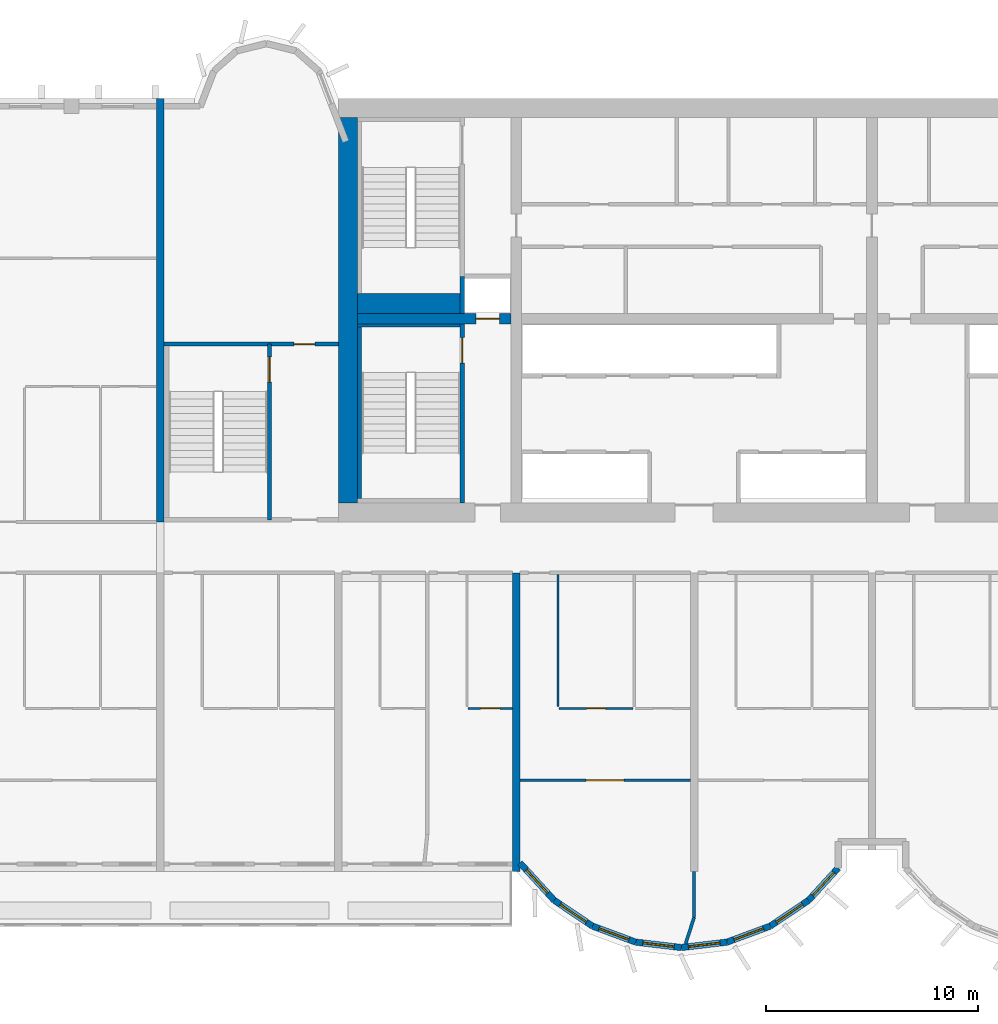
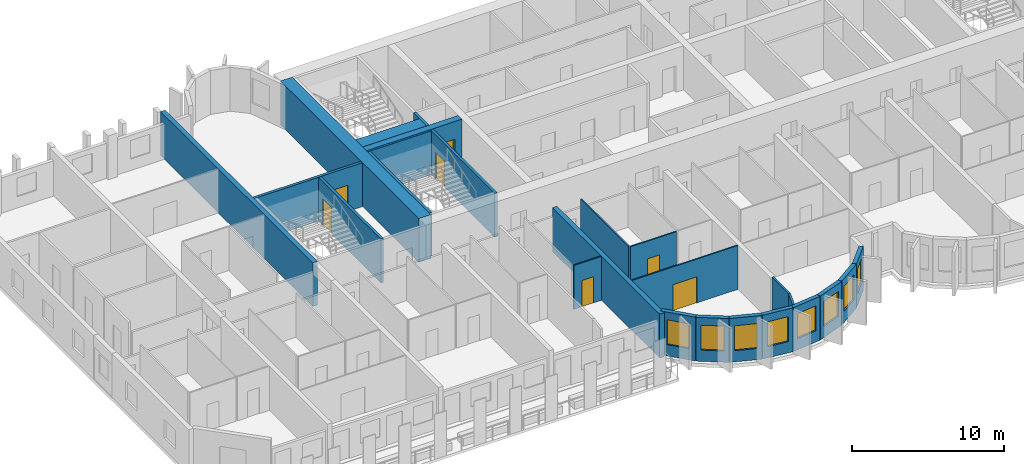
# One storey, part 4 of 15: 25 walls, 8 windows, 7 doors, 15 openings.
"""IFC4 building model written with IfcOpenShell, lengths in metres."""

from ifc_helpers import new_model, si_unit, direction, frame, frame_2d, origin, place, context, subcontext, project, spatial, rectangle, extrude, source, transform, mapped, material, layer, layer_set, type_object, element, fill, save


model = new_model("IFC4")

# Units and contexts
model_context = context("Model", 3, precision=1e-05, world=origin(), true_north=direction((0.0, 1.0)))
body_context = subcontext(model_context, "Body", "Model", "MODEL_VIEW")
ifc_project = project(units=[si_unit("LENGTHUNIT", "METRE"), si_unit("AREAUNIT", "SQUARE_METRE"), si_unit("VOLUMEUNIT", "CUBIC_METRE"), si_unit("PLANEANGLEUNIT", "RADIAN"), si_unit("MASSUNIT", "GRAM", prefix="KILO")], contexts=[model_context])

# Site, building, storey
site_placement = place(None, origin())
site = spatial("IfcSite", under=ifc_project, at=site_placement, CompositionType="ELEMENT")
building_placement = place(site_placement, origin())
building = spatial("IfcBuilding", under=site, at=building_placement, Name="Vanashikhar Sky Hotel", CompositionType="ELEMENT")
storey_placement = place(building_placement, frame((0.0, 0.0, 133.199951171875)))
storey = spatial("IfcBuildingStorey", under=building, at=storey_placement, Name="L32", CompositionType="ELEMENT", Elevation=133.199951171875)

# Wall
ifc_material_1 = material(Name="Concrete M70", Category="concrete")
ifc_layer_1 = layer(ifc_material_1, 0.89990234375)
ifc_layer_set_1 = layer_set([ifc_layer_1], Name="RC core shell wall 900 Concrete M70")
wall_type_1 = type_object("IfcWallType", Name="RC core shell wall 900 Concrete M70", PredefinedType="SHEAR", material=ifc_layer_set_1)
shared_shape_1 = source(origin(), body_context, "Body", "SweptSolid", [
    extrude(rectangle(XDim=18.2001953125, YDim=0.89990234375, at=frame_2d((9.10009765625, 0.0))), origin(), (0.0, 0.0, 1.0), 3.52001953125),
])
wall_1_placement = place(storey_placement, frame((25.64990234375, 22.89990234375, 0.0), z_axis=(0.0, 0.0, 1.0), x_axis=(0.0, 1.0, 0.0)))
element("IfcWall", 1, at=wall_1_placement, inside=storey, type_object=wall_type_1, Name="KW-L32-KW", PredefinedType="SHEAR", context=body_context, shape_type="MappedRepresentation", body=[
    mapped(shared_shape_1, transform((0.0, 0.0, 0.0), scale=1.0)),
])

# Wall, opening, door
ifc_layer_2 = layer(ifc_material_1, 0.5)
ifc_layer_set_2 = layer_set([ifc_layer_2], Name="RC core inner wall 500 Concrete M70")
wall_type_2 = type_object("IfcWallType", Name="RC core inner wall 500 Concrete M70", PredefinedType="SHEAR", material=ifc_layer_set_2)
shared_shape_2 = source(origin(), body_context, "Body", "SweptSolid", [
    extrude(rectangle(XDim=7.25, YDim=0.5, at=frame_2d((3.625, 0.0))), origin(), (0.0, 0.0, 1.0), 3.52001953125),
])
wall_2_placement = place(storey_placement, frame((26.10009765625, 31.60009765625, 0.0), z_axis=(0.0, 0.0, 1.0), x_axis=(1.0, 0.0, 0.0)))
wall_2 = element("IfcWall", 2, at=wall_2_placement, inside=storey, type_object=wall_type_2, Name="KW-L32-KY1", PredefinedType="SHEAR", context=body_context, shape_type="MappedRepresentation", body=[
    mapped(shared_shape_2, transform((0.0, 0.0, 0.0), scale=1.0)),
])
shared_shape_3 = source(origin(), body_context, "Body", "SweptSolid", [
    extrude(rectangle(XDim=1.10009765625, YDim=2.10009765625, at=frame_2d((0.550048828125, 1.050048828125))), frame((0.0, 0.260009765625, 0.0), z_axis=(0.0, -1.0, 0.0), x_axis=(1.0, 0.0, 0.0)), (0.0, 0.0, 1.0), 0.52001953125),
])
opening_1_placement = place(wall_2_placement, frame((5.60009765625, 0.0, 0.0)))
opening_1 = element("IfcOpeningElement", 3, at=opening_1_placement, cuts=wall_2, Name="Opening LD", PredefinedType="OPENING", context=body_context, shape_type="MappedRepresentation", body=[
    mapped(shared_shape_3, transform((0.0, 0.0, 0.0), scale=1.0)),
])
ifc_material_2 = material(Name="Stainless steel", Category="steel")
door_type_1 = type_object("IfcDoorType", Name="Lift landing door 1100", OperationType="NOTDEFINED", PredefinedType="DOOR", material=ifc_material_2)
shared_shape_4 = source(origin(), body_context, "Body", "SweptSolid", [
    extrude(rectangle(XDim=1.10009765625, YDim=2.10009765625, at=frame_2d((0.550048828125, 1.050048828125))), frame((0.0, 0.02490234375, 0.0), z_axis=(0.0, -1.0, 0.0), x_axis=(1.0, 0.0, 0.0)), (0.0, 0.0, 1.0), 0.050048828125),
])
door_1_placement = place(opening_1_placement, origin())
door_1 = element("IfcDoor", 4, at=door_1_placement, inside=storey, type_object=door_type_1, Name="Lift landing door 1100", OperationType="SLIDING_TO_RIGHT", OverallHeight=2.10009765625, OverallWidth=1.10009765625, PredefinedType="DOOR", context=body_context, shape_type="MappedRepresentation", body=[
    mapped(shared_shape_4, transform((0.0, 0.0, 0.0), scale=1.0)),
])
fill(opening_1, door_1)

# Walls
ifc_layer_3 = layer(ifc_material_1, 0.35009765625)
ifc_layer_set_3 = layer_set([ifc_layer_3], Name="RC shear wall 350 Concrete M70")
wall_type_3 = type_object("IfcWallType", Name="RC shear wall 350 Concrete M70", PredefinedType="SHEAR", material=ifc_layer_set_3)
shared_shape_5 = source(origin(), body_context, "Body", "SweptSolid", [
    extrude(rectangle(XDim=14.10009765625, YDim=0.35009765625, at=frame_2d((7.050048828125, 0.0))), origin(), (0.0, 0.0, 1.0), 3.52001953125),
])
wall_3_placement = place(storey_placement, frame((33.60009765625, 5.5, 0.0), z_axis=(0.0, 0.0, 1.0), x_axis=(0.0, 1.0, 0.0)))
element("IfcWall", 5, at=wall_3_placement, inside=storey, type_object=wall_type_3, Name="CW-L32-XW05-1", PredefinedType="SHEAR", context=body_context, shape_type="MappedRepresentation", body=[
    mapped(shared_shape_5, transform((0.0, 0.0, 0.0), scale=1.0)),
])
shared_shape_6 = source(origin(), body_context, "Body", "SweptSolid", [
    extrude(rectangle(XDim=20.0, YDim=0.35009765625, at=frame_2d((10.0, 0.0))), origin(), (0.0, 0.0, 1.0), 3.52001953125),
])
wall_4_placement = place(storey_placement, frame((16.800048828125, 22.0, 0.0), z_axis=(0.0, 0.0, 1.0), x_axis=(0.0, 1.0, 0.0)))
element("IfcWall", 6, at=wall_4_placement, inside=storey, type_object=wall_type_3, Name="CW-L32-XW03-2", PredefinedType="SHEAR", context=body_context, shape_type="MappedRepresentation", body=[
    mapped(shared_shape_6, transform((0.0, 0.0, 0.0), scale=1.0)),
])

# Wall, opening, window
ifc_material_3 = material(Name="Concrete M50", Category="concrete")
ifc_layer_4 = layer(ifc_material_3, 0.300048828125)
ifc_layer_set_4 = layer_set([ifc_layer_4], Name="Lobe wall 300")
wall_type_4 = type_object("IfcWallType", Name="Lobe wall 300", PredefinedType="SOLIDWALL", material=ifc_layer_set_4)
shared_shape_7 = source(origin(), body_context, "Body", "SweptSolid", [
    extrude(rectangle(XDim=2.398193359375, YDim=0.300048828125, at=frame_2d((1.19921875, 0.0))), origin(), (0.0, 0.0, 1.0), 3.52001953125),
])
wall_5_placement = place(storey_placement, frame((33.776123046875, 5.89990234375, 0.0), z_axis=(0.0, 0.0, 1.0), x_axis=(0.675374189419, -0.737475222815, 0.0)))
wall_5 = element("IfcWall", 7, at=wall_5_placement, inside=storey, type_object=wall_type_4, Name="Lobe wall", PredefinedType="SOLIDWALL", context=body_context, shape_type="MappedRepresentation", body=[
    mapped(shared_shape_7, transform((0.0, 0.0, 0.0), scale=1.0)),
])
shared_shape_8 = source(origin(), body_context, "Body", "SweptSolid", [
    extrude(rectangle(XDim=1.5, YDim=2.0, at=frame_2d((0.75, 1.0))), frame((0.0, 0.16015625, 0.0), z_axis=(0.0, -1.0, 0.0), x_axis=(1.0, 0.0, 0.0)), (0.0, 0.0, 1.0), 0.320068359375),
])
opening_2_placement = place(wall_5_placement, frame((0.44921875, 0.0, 0.89990234375)))
opening_2 = element("IfcOpeningElement", 8, at=opening_2_placement, cuts=wall_5, Name="Opening WN-2", PredefinedType="OPENING", context=body_context, shape_type="MappedRepresentation", body=[
    mapped(shared_shape_8, transform((0.0, 0.0, 0.0), scale=1.0)),
])
ifc_material_4 = material(Name="Glass", Category="glass")
window_type = type_object("IfcWindowType", Name="Lobe window 1500 x 2000", PartitioningType="SINGLE_PANEL", PredefinedType="WINDOW", material=ifc_material_4)
shared_shape_9 = source(origin(), body_context, "Body", "SweptSolid", [
    extrude(rectangle(XDim=1.5, YDim=2.0, at=frame_2d((0.75, 1.0))), frame((0.0, 0.030029296875, 0.0), z_axis=(0.0, -1.0, 0.0), x_axis=(1.0, 0.0, 0.0)), (0.0, 0.0, 1.0), 0.06005859375),
])
window_1_placement = place(opening_2_placement, origin())
window_1 = element("IfcWindow", 9, at=window_1_placement, inside=storey, type_object=window_type, Name="Window WN-2", OverallHeight=2.0, OverallWidth=1.5, PartitioningType="SINGLE_PANEL", PredefinedType="WINDOW", context=body_context, shape_type="MappedRepresentation", body=[
    mapped(shared_shape_9, transform((0.0, 0.0, 0.0), scale=1.0)),
])
fill(opening_2, window_1)

shared_shape_10 = source(origin(), body_context, "Body", "SweptSolid", [
    extrude(rectangle(XDim=2.17578125, YDim=0.300048828125, at=frame_2d((1.087890625, 0.0))), origin(), (0.0, 0.0, 1.0), 3.52001953125),
])
wall_6_placement = place(storey_placement, frame((35.395751953125, 4.13134765625, 0.0), z_axis=(0.0, 0.0, 1.0), x_axis=(0.829590746428, -0.558371913192, 0.0)))
wall_6 = element("IfcWall", 10, at=wall_6_placement, inside=storey, type_object=wall_type_4, Name="Lobe wall", PredefinedType="SOLIDWALL", context=body_context, shape_type="MappedRepresentation", body=[
    mapped(shared_shape_10, transform((0.0, 0.0, 0.0), scale=1.0)),
])
opening_3_placement = place(wall_6_placement, frame((0.337890625, 0.0, 0.89990234375)))
opening_3 = element("IfcOpeningElement", 11, at=opening_3_placement, cuts=wall_6, Name="Opening WN-2", PredefinedType="OPENING", context=body_context, shape_type="MappedRepresentation", body=[
    mapped(shared_shape_8, transform((0.0, 0.0, 0.0), scale=1.0)),
])
window_2_placement = place(opening_3_placement, origin())
window_2 = element("IfcWindow", 12, at=window_2_placement, inside=storey, type_object=window_type, Name="Window WN-2", OverallHeight=2.0, OverallWidth=1.5, PartitioningType="SINGLE_PANEL", PredefinedType="WINDOW", context=body_context, shape_type="MappedRepresentation", body=[
    mapped(shared_shape_9, transform((0.0, 0.0, 0.0), scale=1.0)),
])
fill(opening_3, window_2)

wall_7_placement = place(storey_placement, frame((37.20068359375, 2.91650390625, 0.0), z_axis=(0.0, 0.0, 1.0), x_axis=(0.93754555999, -0.347862505801, 0.0)))
wall_7 = element("IfcWall", 13, at=wall_7_placement, inside=storey, type_object=wall_type_4, Name="Lobe wall", PredefinedType="SOLIDWALL", context=body_context, shape_type="MappedRepresentation", body=[
    mapped(shared_shape_10, transform((0.0, 0.0, 0.0), scale=1.0)),
])
opening_4_placement = place(wall_7_placement, frame((0.337890625, 0.0, 0.89990234375)))
opening_4 = element("IfcOpeningElement", 14, at=opening_4_placement, cuts=wall_7, Name="Opening WN-2", PredefinedType="OPENING", context=body_context, shape_type="MappedRepresentation", body=[
    mapped(shared_shape_8, transform((0.0, 0.0, 0.0), scale=1.0)),
])
window_3_placement = place(opening_4_placement, origin())
window_3 = element("IfcWindow", 15, at=window_3_placement, inside=storey, type_object=window_type, Name="Window WN-2", OverallHeight=2.0, OverallWidth=1.5, PartitioningType="SINGLE_PANEL", PredefinedType="WINDOW", context=body_context, shape_type="MappedRepresentation", body=[
    mapped(shared_shape_9, transform((0.0, 0.0, 0.0), scale=1.0)),
])
fill(opening_4, window_3)

wall_8_placement = place(storey_placement, frame((45.59912109375, 2.91650390625, 0.0), z_axis=(0.0, 0.0, 1.0), x_axis=(0.829625727223, 0.558319937607, 0.0)))
wall_8 = element("IfcWall", 16, at=wall_8_placement, inside=storey, type_object=wall_type_4, Name="Lobe wall", PredefinedType="SOLIDWALL", context=body_context, shape_type="MappedRepresentation", body=[
    mapped(shared_shape_10, transform((0.0, 0.0, 0.0), scale=1.0)),
])
opening_5_placement = place(wall_8_placement, frame((0.337890625, 0.0, 0.89990234375)))
opening_5 = element("IfcOpeningElement", 17, at=opening_5_placement, cuts=wall_8, Name="Opening WN-2", PredefinedType="OPENING", context=body_context, shape_type="MappedRepresentation", body=[
    mapped(shared_shape_8, transform((0.0, 0.0, 0.0), scale=1.0)),
])
window_4_placement = place(opening_5_placement, origin())
window_4 = element("IfcWindow", 18, at=window_4_placement, inside=storey, type_object=window_type, Name="Window WN-2", OverallHeight=2.0, OverallWidth=1.5, PartitioningType="SINGLE_PANEL", PredefinedType="WINDOW", context=body_context, shape_type="MappedRepresentation", body=[
    mapped(shared_shape_9, transform((0.0, 0.0, 0.0), scale=1.0)),
])
fill(opening_5, window_4)

shared_shape_11 = source(origin(), body_context, "Body", "SweptSolid", [
    extrude(rectangle(XDim=2.174560546875, YDim=0.300048828125, at=frame_2d((1.08740234375, 0.0))), origin(), (0.0, 0.0, 1.0), 3.52001953125),
])
wall_9_placement = place(storey_placement, frame((39.240478515625, 2.15966796875, 0.0), z_axis=(0.0, 0.0, 1.0), x_axis=(0.993001132889, -0.118104826659, 0.0)))
wall_9 = element("IfcWall", 19, at=wall_9_placement, inside=storey, type_object=wall_type_4, Name="Lobe wall", PredefinedType="SOLIDWALL", context=body_context, shape_type="MappedRepresentation", body=[
    mapped(shared_shape_11, transform((0.0, 0.0, 0.0), scale=1.0)),
])
opening_6_placement = place(wall_9_placement, frame((0.33740234375, 0.0, 0.89990234375)))
opening_6 = element("IfcOpeningElement", 20, at=opening_6_placement, cuts=wall_9, Name="Opening WN-2", PredefinedType="OPENING", context=body_context, shape_type="MappedRepresentation", body=[
    mapped(shared_shape_8, transform((0.0, 0.0, 0.0), scale=1.0)),
])
window_5_placement = place(opening_6_placement, origin())
window_5 = element("IfcWindow", 21, at=window_5_placement, inside=storey, type_object=window_type, Name="Window WN-2", OverallHeight=2.0, OverallWidth=1.5, PartitioningType="SINGLE_PANEL", PredefinedType="WINDOW", context=body_context, shape_type="MappedRepresentation", body=[
    mapped(shared_shape_9, transform((0.0, 0.0, 0.0), scale=1.0)),
])
fill(opening_6, window_5)

shared_shape_12 = source(origin(), body_context, "Body", "SweptSolid", [
    extrude(rectangle(XDim=2.1748046875, YDim=0.300048828125, at=frame_2d((1.08740234375, 0.0))), origin(), (0.0, 0.0, 1.0), 3.52001953125),
])
wall_10_placement = place(storey_placement, frame((41.39990234375, 1.90283203125, 0.0), z_axis=(0.0, 0.0, 1.0), x_axis=(0.993002698611, 0.118091661648, 0.0)))
wall_10 = element("IfcWall", 22, at=wall_10_placement, inside=storey, type_object=wall_type_4, Name="Lobe wall", PredefinedType="SOLIDWALL", context=body_context, shape_type="MappedRepresentation", body=[
    mapped(shared_shape_12, transform((0.0, 0.0, 0.0), scale=1.0)),
])
opening_7_placement = place(wall_10_placement, frame((0.33740234375, 0.0, 0.89990234375)))
opening_7 = element("IfcOpeningElement", 23, at=opening_7_placement, cuts=wall_10, Name="Opening WN-2", PredefinedType="OPENING", context=body_context, shape_type="MappedRepresentation", body=[
    mapped(shared_shape_8, transform((0.0, 0.0, 0.0), scale=1.0)),
])
window_6_placement = place(opening_7_placement, origin())
window_6 = element("IfcWindow", 24, at=window_6_placement, inside=storey, type_object=window_type, Name="Window WN-2", OverallHeight=2.0, OverallWidth=1.5, PartitioningType="SINGLE_PANEL", PredefinedType="WINDOW", context=body_context, shape_type="MappedRepresentation", body=[
    mapped(shared_shape_9, transform((0.0, 0.0, 0.0), scale=1.0)),
])
fill(opening_7, window_6)

shared_shape_13 = source(origin(), body_context, "Body", "SweptSolid", [
    extrude(rectangle(XDim=2.175537109375, YDim=0.300048828125, at=frame_2d((1.087890625, 0.0))), origin(), (0.0, 0.0, 1.0), 3.52001953125),
])
wall_11_placement = place(storey_placement, frame((43.5595703125, 2.15966796875, 0.0), z_axis=(0.0, 0.0, 1.0), x_axis=(0.937531979054, 0.347899106424, 0.0)))
wall_11 = element("IfcWall", 25, at=wall_11_placement, inside=storey, type_object=wall_type_4, Name="Lobe wall", PredefinedType="SOLIDWALL", context=body_context, shape_type="MappedRepresentation", body=[
    mapped(shared_shape_13, transform((0.0, 0.0, 0.0), scale=1.0)),
])
opening_8_placement = place(wall_11_placement, frame((0.337890625, 0.0, 0.89990234375)))
opening_8 = element("IfcOpeningElement", 26, at=opening_8_placement, cuts=wall_11, Name="Opening WN-2", PredefinedType="OPENING", context=body_context, shape_type="MappedRepresentation", body=[
    mapped(shared_shape_8, transform((0.0, 0.0, 0.0), scale=1.0)),
])
window_7_placement = place(opening_8_placement, origin())
window_7 = element("IfcWindow", 27, at=window_7_placement, inside=storey, type_object=window_type, Name="Window WN-2", OverallHeight=2.0, OverallWidth=1.5, PartitioningType="SINGLE_PANEL", PredefinedType="WINDOW", context=body_context, shape_type="MappedRepresentation", body=[
    mapped(shared_shape_9, transform((0.0, 0.0, 0.0), scale=1.0)),
])
fill(opening_8, window_7)

shared_shape_14 = source(origin(), body_context, "Body", "SweptSolid", [
    extrude(rectangle(XDim=2.066650390625, YDim=0.300048828125, at=frame_2d((1.033203125, 0.0))), origin(), (0.0, 0.0, 1.0), 3.52001953125),
])
wall_12_placement = place(storey_placement, frame((47.404296875, 4.13134765625, 0.0), z_axis=(0.0, 0.0, 1.0), x_axis=(0.675355439877, 0.737492393065, 0.0)))
wall_12 = element("IfcWall", 28, at=wall_12_placement, inside=storey, type_object=wall_type_4, Name="Lobe wall", PredefinedType="SOLIDWALL", context=body_context, shape_type="MappedRepresentation", body=[
    mapped(shared_shape_14, transform((0.0, 0.0, 0.0), scale=1.0)),
])
opening_9_placement = place(wall_12_placement, frame((0.283447265625, 0.0, 0.89990234375)))
opening_9 = element("IfcOpeningElement", 29, at=opening_9_placement, cuts=wall_12, Name="Opening WN-2", PredefinedType="OPENING", context=body_context, shape_type="MappedRepresentation", body=[
    mapped(shared_shape_8, transform((0.0, 0.0, 0.0), scale=1.0)),
])
window_8_placement = place(opening_9_placement, origin())
window_8 = element("IfcWindow", 30, at=window_8_placement, inside=storey, type_object=window_type, Name="Window WN-2", OverallHeight=2.0, OverallWidth=1.5, PartitioningType="SINGLE_PANEL", PredefinedType="WINDOW", context=body_context, shape_type="MappedRepresentation", body=[
    mapped(shared_shape_9, transform((0.0, 0.0, 0.0), scale=1.0)),
])
fill(opening_9, window_8)

# Wall, opening, door
ifc_layer_5 = layer(ifc_material_3, 0.199951171875)
ifc_layer_set_5 = layer_set([ifc_layer_5], Name="Stair wall 200")
wall_type_5 = type_object("IfcWallType", Name="Stair wall 200", PredefinedType="SOLIDWALL", material=ifc_layer_set_5)
shared_shape_15 = source(origin(), body_context, "Body", "SweptSolid", [
    extrude(rectangle(XDim=8.2998046875, YDim=0.199951171875, at=frame_2d((4.14990234375, 0.0))), origin(), (0.0, 0.0, 1.0), 3.52001953125),
])
wall_13_placement = place(storey_placement, frame((21.949951171875, 22.10009765625, 0.0), z_axis=(0.0, 0.0, 1.0), x_axis=(0.0, 1.0, 0.0)))
wall_13 = element("IfcWall", 31, at=wall_13_placement, inside=storey, type_object=wall_type_5, Name="Stair wall 200", PredefinedType="SOLIDWALL", context=body_context, shape_type="MappedRepresentation", body=[
    mapped(shared_shape_15, transform((0.0, 0.0, 0.0), scale=1.0)),
])
shared_shape_16 = source(origin(), body_context, "Body", "SweptSolid", [
    extrude(rectangle(XDim=1.199951171875, YDim=2.10009765625, at=frame_2d((0.60009765625, 1.050048828125))), frame((0.0, 0.10986328125, 0.0), z_axis=(0.0, -1.0, 0.0), x_axis=(1.0, 0.0, 0.0)), (0.0, 0.0, 1.0), 0.219970703125),
])
opening_10_placement = place(wall_13_placement, frame((6.5, 0.0, 0.0)))
opening_10 = element("IfcOpeningElement", 32, at=opening_10_placement, cuts=wall_13, Name="Opening DC-1", PredefinedType="OPENING", context=body_context, shape_type="MappedRepresentation", body=[
    mapped(shared_shape_16, transform((0.0, 0.0, 0.0), scale=1.0)),
])
ifc_material_5 = material(Name="Steel", Category="steel")
door_type_2 = type_object("IfcDoorType", Name="Stair door 1200 FD120", OperationType="NOTDEFINED", PredefinedType="DOOR", material=ifc_material_5)
shared_shape_17 = source(origin(), body_context, "Body", "SweptSolid", [
    extrude(rectangle(XDim=1.199951171875, YDim=2.10009765625, at=frame_2d((0.60009765625, 1.050048828125))), frame((0.0, 0.02490234375, 0.0), z_axis=(0.0, -1.0, 0.0), x_axis=(1.0, 0.0, 0.0)), (0.0, 0.0, 1.0), 0.050048828125),
])
door_2_placement = place(opening_10_placement, origin())
door_2 = element("IfcDoor", 33, at=door_2_placement, inside=storey, type_object=door_type_2, Name="Stair door 1200 FD120", OperationType="SINGLE_SWING_LEFT", OverallHeight=2.10009765625, OverallWidth=1.199951171875, PredefinedType="DOOR", context=body_context, shape_type="MappedRepresentation", body=[
    mapped(shared_shape_17, transform((0.0, 0.0, 0.0), scale=1.0)),
])
fill(opening_10, door_2)

shared_shape_18 = source(origin(), body_context, "Body", "SweptSolid", [
    extrude(rectangle(XDim=8.4501953125, YDim=0.199951171875, at=frame_2d((4.22509765625, 0.0))), origin(), (0.0, 0.0, 1.0), 3.52001953125),
])
wall_14_placement = place(storey_placement, frame((31.050048828125, 22.89990234375, 0.0), z_axis=(0.0, 0.0, 1.0), x_axis=(0.0, 1.0, 0.0)))
wall_14 = element("IfcWall", 34, at=wall_14_placement, inside=storey, type_object=wall_type_5, Name="Stair wall 200", PredefinedType="SOLIDWALL", context=body_context, shape_type="MappedRepresentation", body=[
    mapped(shared_shape_18, transform((0.0, 0.0, 0.0), scale=1.0)),
])
opening_11_placement = place(wall_14_placement, frame((6.60009765625, 0.0, 0.0)))
opening_11 = element("IfcOpeningElement", 35, at=opening_11_placement, cuts=wall_14, Name="Opening DC-1", PredefinedType="OPENING", context=body_context, shape_type="MappedRepresentation", body=[
    mapped(shared_shape_16, transform((0.0, 0.0, 0.0), scale=1.0)),
])
door_3_placement = place(opening_11_placement, origin())
door_3 = element("IfcDoor", 36, at=door_3_placement, inside=storey, type_object=door_type_2, Name="Stair door 1200 FD120", OperationType="SINGLE_SWING_LEFT", OverallHeight=2.10009765625, OverallWidth=1.199951171875, PredefinedType="DOOR", context=body_context, shape_type="MappedRepresentation", body=[
    mapped(shared_shape_17, transform((0.0, 0.0, 0.0), scale=1.0)),
])
fill(opening_11, door_3)

# Wall
ifc_material_6 = material(Name="Concrete M40", Category="concrete")
ifc_layer_6 = layer(ifc_material_6, 0.199951171875)
ifc_layer_set_6 = layer_set([ifc_layer_6], Name="Shaft wall 200")
wall_type_6 = type_object("IfcWallType", Name="Shaft wall 200", PredefinedType="SOLIDWALL", material=ifc_layer_set_6)
shared_shape_19 = source(origin(), body_context, "Body", "SweptSolid", [
    extrude(rectangle(XDim=1.75, YDim=0.199951171875, at=frame_2d((0.875, 0.0))), origin(), (0.0, 0.0, 1.0), 3.52001953125),
])
wall_15_placement = place(storey_placement, frame((31.050048828125, 31.85009765625, 0.0), z_axis=(0.0, 0.0, 1.0), x_axis=(0.0, 1.0, 0.0)))
element("IfcWall", 37, at=wall_15_placement, inside=storey, type_object=wall_type_6, Name="Shaft wall 200", PredefinedType="SOLIDWALL", context=body_context, shape_type="MappedRepresentation", body=[
    mapped(shared_shape_19, transform((0.0, 0.0, 0.0), scale=1.0)),
])

# Wall, opening, door
shared_shape_20 = source(origin(), body_context, "Body", "SweptSolid", [
    extrude(rectangle(XDim=8.224853515625, YDim=0.199951171875, at=frame_2d((4.1123046875, 0.0))), origin(), (0.0, 0.0, 1.0), 3.52001953125),
])
wall_16_placement = place(storey_placement, frame((16.97509765625, 30.39990234375, 0.0), z_axis=(0.0, 0.0, 1.0), x_axis=(1.0, 0.0, 0.0)))
wall_16 = element("IfcWall", 38, at=wall_16_placement, inside=storey, type_object=wall_type_5, Name="Stair wall 200", PredefinedType="SOLIDWALL", context=body_context, shape_type="MappedRepresentation", body=[
    mapped(shared_shape_20, transform((0.0, 0.0, 0.0), scale=1.0)),
])
shared_shape_21 = source(origin(), body_context, "Body", "SweptSolid", [
    extrude(rectangle(XDim=1.0, YDim=2.10009765625, at=frame_2d((0.5, 1.050048828125))), frame((0.0, 0.10986328125, 0.0), z_axis=(0.0, -1.0, 0.0), x_axis=(1.0, 0.0, 0.0)), (0.0, 0.0, 1.0), 0.219970703125),
])
opening_12_placement = place(wall_16_placement, frame((6.125, 0.0, 0.0)))
opening_12 = element("IfcOpeningElement", 39, at=opening_12_placement, cuts=wall_16, Name="Opening DC-6", PredefinedType="OPENING", context=body_context, shape_type="MappedRepresentation", body=[
    mapped(shared_shape_21, transform((0.0, 0.0, 0.0), scale=1.0)),
])
door_type_3 = type_object("IfcDoorType", Name="Pocket door 1000 FD60", OperationType="NOTDEFINED", PredefinedType="DOOR", material=ifc_material_5)
shared_shape_22 = source(origin(), body_context, "Body", "SweptSolid", [
    extrude(rectangle(XDim=1.0, YDim=2.10009765625, at=frame_2d((0.5, 1.050048828125))), frame((0.0, 0.02490234375, 0.0), z_axis=(0.0, -1.0, 0.0), x_axis=(1.0, 0.0, 0.0)), (0.0, 0.0, 1.0), 0.050048828125),
])
door_4_placement = place(opening_12_placement, origin())
door_4 = element("IfcDoor", 40, at=door_4_placement, inside=storey, type_object=door_type_3, Name="Pocket door 1000 FD60", OperationType="SINGLE_SWING_LEFT", OverallHeight=2.10009765625, OverallWidth=1.0, PredefinedType="DOOR", context=body_context, shape_type="MappedRepresentation", body=[
    mapped(shared_shape_22, transform((0.0, 0.0, 0.0), scale=1.0)),
])
fill(opening_12, door_4)

# Walls
ifc_layer_7 = layer(ifc_material_3, 0.14990234375)
ifc_layer_set_7 = layer_set([ifc_layer_7], Name="Stair infill wall 150")
wall_type_7 = type_object("IfcWallType", Name="Stair infill wall 150", PredefinedType="SOLIDWALL", material=ifc_layer_set_7)
shared_shape_23 = source(origin(), body_context, "Body", "SweptSolid", [
    extrude(rectangle(XDim=4.849853515625, YDim=0.14990234375, at=frame_2d((2.4248046875, 0.0))), origin(), (0.0, 0.0, 1.0), 3.52001953125),
])
wall_17_placement = place(storey_placement, frame((26.10009765625, 31.27490234375, 0.0), z_axis=(0.0, 0.0, 1.0), x_axis=(1.0, 0.0, 0.0)))
element("IfcWall", 41, at=wall_17_placement, inside=storey, type_object=wall_type_7, Name="Stair infill wall 150", PredefinedType="SOLIDWALL", context=body_context, shape_type="MappedRepresentation", body=[
    mapped(shared_shape_23, transform((0.0, 0.0, 0.0), scale=1.0)),
])
ifc_layer_8 = layer(ifc_material_3, 0.199951171875)
ifc_layer_set_8 = layer_set([ifc_layer_8], Name="Stair infill wall 200")
wall_type_8 = type_object("IfcWallType", Name="Stair infill wall 200", PredefinedType="SOLIDWALL", material=ifc_layer_set_8)
shared_shape_24 = source(origin(), body_context, "Body", "SweptSolid", [
    extrude(rectangle(XDim=8.099853515625, YDim=0.199951171875, at=frame_2d((4.0498046875, 0.0))), origin(), (0.0, 0.0, 1.0), 3.52001953125),
])
wall_18_placement = place(storey_placement, frame((26.199951171875, 23.10009765625, 0.0), z_axis=(0.0, 0.0, 1.0), x_axis=(0.0, 1.0, 0.0)))
element("IfcWall", 42, at=wall_18_placement, inside=storey, type_object=wall_type_8, Name="Stair infill wall 200", PredefinedType="SOLIDWALL", context=body_context, shape_type="MappedRepresentation", body=[
    mapped(shared_shape_24, transform((0.0, 0.0, 0.0), scale=1.0)),
])
ifc_layer_9 = layer(ifc_material_3, 0.949951171875)
ifc_layer_set_9 = layer_set([ifc_layer_9], Name="Stair infill wall 950")
wall_type_9 = type_object("IfcWallType", Name="Stair infill wall 950", PredefinedType="SOLIDWALL", material=ifc_layer_set_9)
shared_shape_25 = source(origin(), body_context, "Body", "SweptSolid", [
    extrude(rectangle(XDim=4.849853515625, YDim=0.949951171875, at=frame_2d((2.4248046875, 0.0))), origin(), (0.0, 0.0, 1.0), 3.52001953125),
])
wall_19_placement = place(storey_placement, frame((26.10009765625, 32.324951171875, 0.0), z_axis=(0.0, 0.0, 1.0), x_axis=(1.0, 0.0, 0.0)))
element("IfcWall", 43, at=wall_19_placement, inside=storey, type_object=wall_type_9, Name="Stair infill wall 950", PredefinedType="SOLIDWALL", context=body_context, shape_type="MappedRepresentation", body=[
    mapped(shared_shape_25, transform((0.0, 0.0, 0.0), scale=1.0)),
])
ifc_material_7 = material(Name="Gypsum plasterboard partition")
ifc_layer_10 = layer(ifc_material_7, 0.14990234375)
ifc_layer_set_10 = layer_set([ifc_layer_10], Name="Corridor and demising partition 150")
wall_type_10 = type_object("IfcWallType", Name="Corridor and demising partition 150", PredefinedType="PARTITIONING", material=ifc_layer_set_10)
shared_shape_26 = source(origin(), body_context, "Body", "SweptSolid", [
    extrude(rectangle(XDim=2.177978515625, YDim=0.14990234375, at=frame_2d((1.0888671875, 0.0))), origin(), (0.0, 0.0, 1.0), 3.52001953125),
])
wall_20_placement = place(storey_placement, frame((42.0, 3.322021484375, 0.0), z_axis=(0.0, 0.0, 1.0), x_axis=(0.0, 1.0, 0.0)))
element("IfcWall", 44, at=wall_20_placement, inside=storey, type_object=wall_type_10, Name="W-L32-PW070", PredefinedType="PARTITIONING", context=body_context, shape_type="MappedRepresentation", body=[
    mapped(shared_shape_26, transform((0.0, 0.0, 0.0), scale=1.0)),
])

# Wall, opening, door
ifc_layer_11 = layer(ifc_material_7, 0.10009765625)
ifc_layer_set_11 = layer_set([ifc_layer_11], Name="Wet room partition 100")
wall_type_11 = type_object("IfcWallType", Name="Wet room partition 100", PredefinedType="PARTITIONING", material=ifc_layer_set_11)
shared_shape_27 = source(origin(), body_context, "Body", "SweptSolid", [
    extrude(rectangle(XDim=3.5, YDim=0.10009765625, at=frame_2d((1.75, 0.0))), origin(), (0.0, 0.0, 1.0), 3.52001953125),
])
wall_21_placement = place(storey_placement, frame((35.625, 13.199951171875, 0.0), z_axis=(0.0, 0.0, 1.0), x_axis=(1.0, 0.0, 0.0)))
wall_21 = element("IfcWall", 45, at=wall_21_placement, inside=storey, type_object=wall_type_11, Name="W-L32-PW026", PredefinedType="PARTITIONING", context=body_context, shape_type="MappedRepresentation", body=[
    mapped(shared_shape_27, transform((0.0, 0.0, 0.0), scale=1.0)),
])
shared_shape_28 = source(origin(), body_context, "Body", "SweptSolid", [
    extrude(rectangle(XDim=0.89990234375, YDim=2.10009765625, at=frame_2d((0.449951171875, 1.050048828125))), frame((0.0, 0.06005859375, 0.0), z_axis=(0.0, -1.0, 0.0), x_axis=(1.0, 0.0, 0.0)), (0.0, 0.0, 1.0), 0.1201171875),
])
opening_13_placement = place(wall_21_placement, frame((1.300048828125, 0.0, 0.0)))
opening_13 = element("IfcOpeningElement", 46, at=opening_13_placement, cuts=wall_21, Name="Opening D-02", PredefinedType="OPENING", context=body_context, shape_type="MappedRepresentation", body=[
    mapped(shared_shape_28, transform((0.0, 0.0, 0.0), scale=1.0)),
])
ifc_material_8 = material(Name="Timber door", Category="wood")
door_type_4 = type_object("IfcDoorType", Name="Internal door 900", OperationType="NOTDEFINED", PredefinedType="DOOR", material=ifc_material_8)
shared_shape_29 = source(origin(), body_context, "Body", "SweptSolid", [
    extrude(rectangle(XDim=0.89990234375, YDim=2.10009765625, at=frame_2d((0.449951171875, 1.050048828125))), frame((0.0, 0.02490234375, 0.0), z_axis=(0.0, -1.0, 0.0), x_axis=(1.0, 0.0, 0.0)), (0.0, 0.0, 1.0), 0.050048828125),
])
door_5_placement = place(opening_13_placement, origin())
door_5 = element("IfcDoor", 47, at=door_5_placement, inside=storey, type_object=door_type_4, Name="D-L32-015", OperationType="SINGLE_SWING_LEFT", OverallHeight=2.10009765625, OverallWidth=0.89990234375, PredefinedType="DOOR", context=body_context, shape_type="MappedRepresentation", body=[
    mapped(shared_shape_29, transform((0.0, 0.0, 0.0), scale=1.0)),
])
fill(opening_13, door_5)

# Walls
shared_shape_30 = source(origin(), body_context, "Body", "SweptSolid", [
    extrude(rectangle(XDim=1.308349609375, YDim=0.14990234375, at=frame_2d((0.654296875, 0.0))), origin(), (0.0, 0.0, 1.0), 3.52001953125),
])
wall_22_placement = place(storey_placement, frame((41.597900390625, 2.076904296875, 0.0), z_axis=(0.0, 0.0, 1.0), x_axis=(0.307313512187, 0.951608325535, 0.0)))
element("IfcWall", 48, at=wall_22_placement, inside=storey, type_object=wall_type_10, Name="W-L32-PW070B0", PredefinedType="PARTITIONING", context=body_context, shape_type="MappedRepresentation", body=[
    mapped(shared_shape_30, transform((0.0, 0.0, 0.0), scale=1.0)),
])
shared_shape_31 = source(origin(), body_context, "Body", "SweptSolid", [
    extrude(rectangle(XDim=6.25, YDim=0.10009765625, at=frame_2d((3.125, 0.0))), origin(), (0.0, 0.0, 1.0), 3.52001953125),
])
wall_23_placement = place(storey_placement, frame((35.574951171875, 13.27490234375, 0.0), z_axis=(0.0, 0.0, 1.0), x_axis=(0.0, 1.0, 0.0)))
element("IfcWall", 49, at=wall_23_placement, inside=storey, type_object=wall_type_11, Name="W-L32-PW024", PredefinedType="PARTITIONING", context=body_context, shape_type="MappedRepresentation", body=[
    mapped(shared_shape_31, transform((0.0, 0.0, 0.0), scale=1.0)),
])

# Wall, opening, door
shared_shape_32 = source(origin(), body_context, "Body", "SweptSolid", [
    extrude(rectangle(XDim=2.10009765625, YDim=0.10009765625, at=frame_2d((1.050048828125, 0.0))), origin(), (0.0, 0.0, 1.0), 3.52001953125),
])
wall_24_placement = place(storey_placement, frame((31.324951171875, 13.199951171875, 0.0), z_axis=(0.0, 0.0, 1.0), x_axis=(1.0, 0.0, 0.0)))
wall_24 = element("IfcWall", 50, at=wall_24_placement, inside=storey, type_object=wall_type_11, Name="W-L32-PW021", PredefinedType="PARTITIONING", context=body_context, shape_type="MappedRepresentation", body=[
    mapped(shared_shape_32, transform((0.0, 0.0, 0.0), scale=1.0)),
])
opening_14_placement = place(wall_24_placement, frame((0.60009765625, 0.0, 0.0)))
opening_14 = element("IfcOpeningElement", 51, at=opening_14_placement, cuts=wall_24, Name="Opening D-02", PredefinedType="OPENING", context=body_context, shape_type="MappedRepresentation", body=[
    mapped(shared_shape_28, transform((0.0, 0.0, 0.0), scale=1.0)),
])
door_6_placement = place(opening_14_placement, origin())
door_6 = element("IfcDoor", 52, at=door_6_placement, inside=storey, type_object=door_type_4, Name="D-L32-013", OperationType="SINGLE_SWING_LEFT", OverallHeight=2.10009765625, OverallWidth=0.89990234375, PredefinedType="DOOR", context=body_context, shape_type="MappedRepresentation", body=[
    mapped(shared_shape_29, transform((0.0, 0.0, 0.0), scale=1.0)),
])
fill(opening_14, door_6)

shared_shape_33 = source(origin(), body_context, "Body", "SweptSolid", [
    extrude(rectangle(XDim=8.050048828125, YDim=0.10009765625, at=frame_2d((4.02490234375, 0.0))), origin(), (0.0, 0.0, 1.0), 3.52001953125),
])
wall_25_placement = place(storey_placement, frame((33.77490234375, 9.802001953125, 0.0), z_axis=(0.0, 0.0, 1.0), x_axis=(1.0, 0.0, 0.0)))
wall_25 = element("IfcWall", 53, at=wall_25_placement, inside=storey, type_object=wall_type_11, Name="W-L32-PW028", PredefinedType="PARTITIONING", context=body_context, shape_type="MappedRepresentation", body=[
    mapped(shared_shape_33, transform((0.0, 0.0, 0.0), scale=1.0)),
])
shared_shape_34 = source(origin(), body_context, "Body", "SweptSolid", [
    extrude(rectangle(XDim=1.800048828125, YDim=2.10009765625, at=frame_2d((0.89990234375, 1.050048828125))), frame((0.0, 0.06005859375, 0.0), z_axis=(0.0, -1.0, 0.0), x_axis=(1.0, 0.0, 0.0)), (0.0, 0.0, 1.0), 0.1201171875),
])
opening_15_placement = place(wall_25_placement, frame((3.125, 0.0, 0.0)))
opening_15 = element("IfcOpeningElement", 54, at=opening_15_placement, cuts=wall_25, Name="Opening D-08", PredefinedType="OPENING", context=body_context, shape_type="MappedRepresentation", body=[
    mapped(shared_shape_34, transform((0.0, 0.0, 0.0), scale=1.0)),
])
door_type_5 = type_object("IfcDoorType", Name="Double leaf door 1800", OperationType="NOTDEFINED", PredefinedType="DOOR", material=ifc_material_8)
shared_shape_35 = source(origin(), body_context, "Body", "SweptSolid", [
    extrude(rectangle(XDim=1.800048828125, YDim=2.10009765625, at=frame_2d((0.89990234375, 1.050048828125))), frame((0.0, 0.02490234375, 0.0), z_axis=(0.0, -1.0, 0.0), x_axis=(1.0, 0.0, 0.0)), (0.0, 0.0, 1.0), 0.050048828125),
])
door_7_placement = place(opening_15_placement, origin())
door_7 = element("IfcDoor", 55, at=door_7_placement, inside=storey, type_object=door_type_5, Name="D-L32-017", OperationType="DOUBLE_DOOR_SINGLE_SWING", OverallHeight=2.10009765625, OverallWidth=1.800048828125, PredefinedType="DOOR", context=body_context, shape_type="MappedRepresentation", body=[
    mapped(shared_shape_35, transform((0.0, 0.0, 0.0), scale=1.0)),
])
fill(opening_15, door_7)

save(model, "model.ifc")
